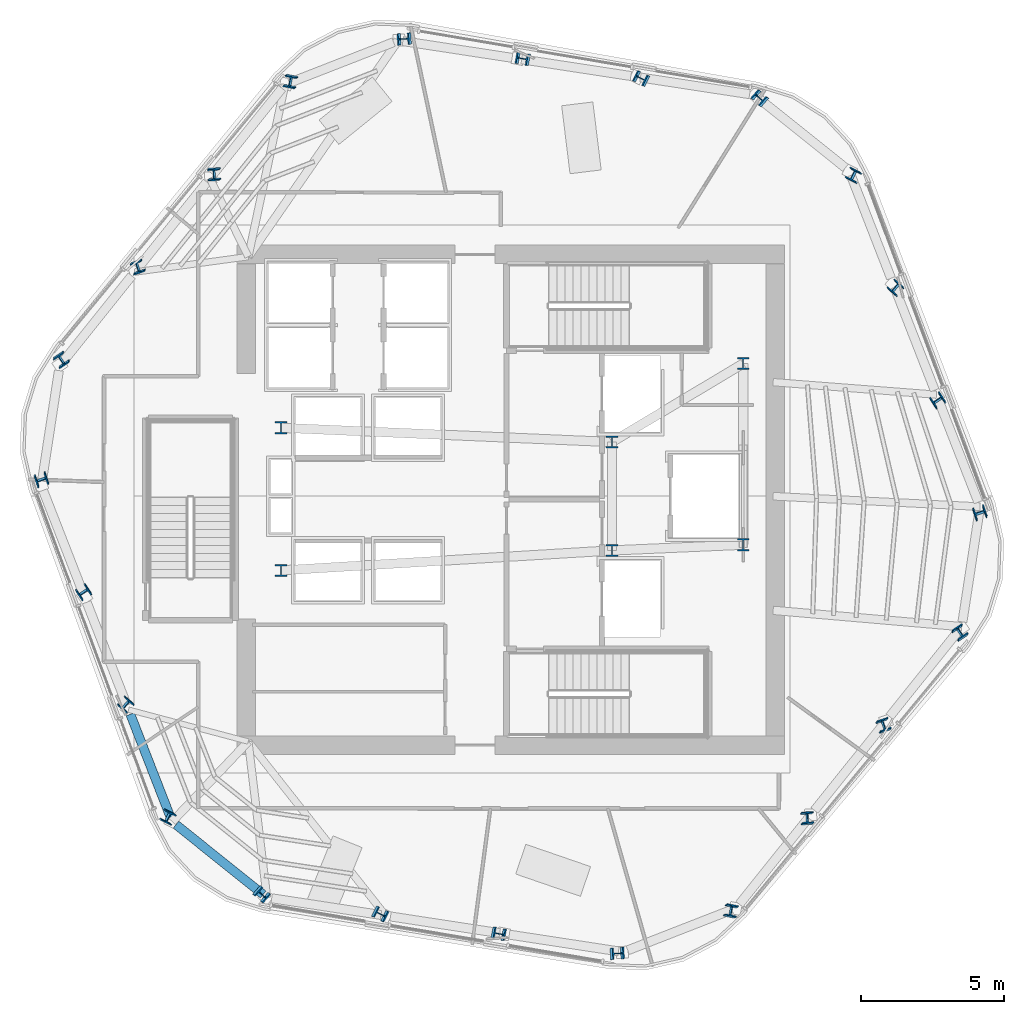
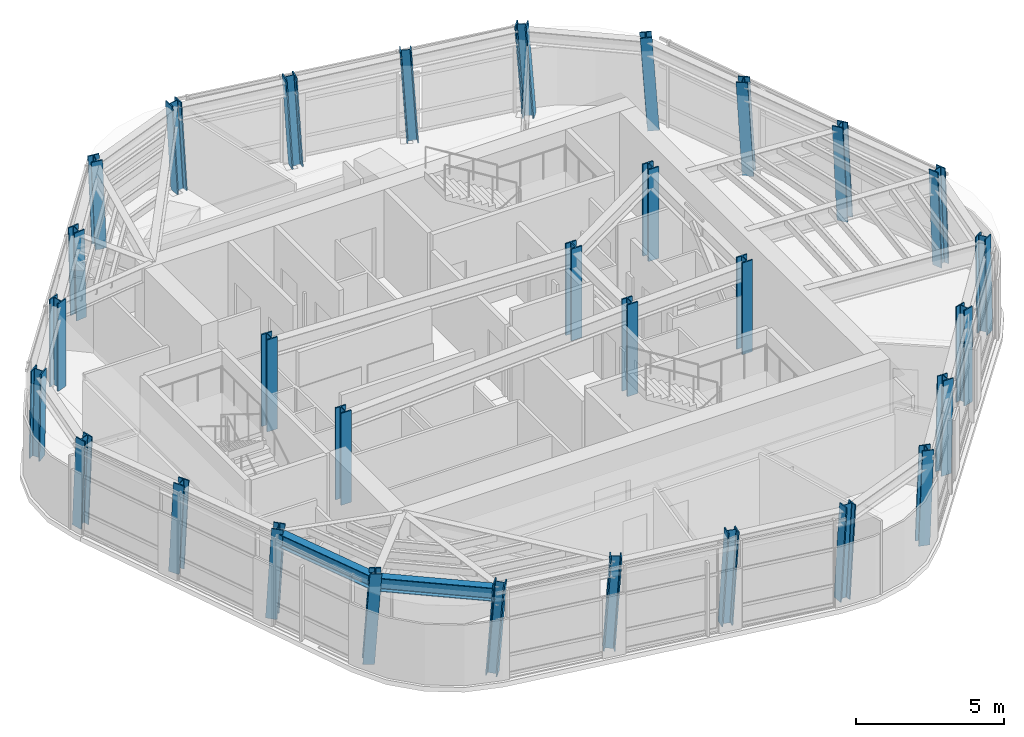
# One storey, part 1 of 12: 30 columns, 2 beams.
"""IFC4 building model written with IfcOpenShell, lengths in metres."""

from ifc_helpers import new_model, si_unit, direction, frame, origin, origin_2d, place, context, subcontext, project, spatial, i_section, extrude, material, material_profile, profile_set, type_object, element, save


model = new_model("IFC4")

# Units and contexts
model_context = context("Model", 3, precision=1e-05, world=origin(), true_north=direction((0.0, 1.0)))
body_context = subcontext(model_context, "Body", "Model", "MODEL_VIEW")
ifc_project = project(units=[si_unit("LENGTHUNIT", "METRE"), si_unit("AREAUNIT", "SQUARE_METRE"), si_unit("VOLUMEUNIT", "CUBIC_METRE"), si_unit("PLANEANGLEUNIT", "RADIAN"), si_unit("MASSUNIT", "GRAM", prefix="KILO")], contexts=[model_context])

# Site, building, storey
site_placement = place(None, origin())
site = spatial("IfcSite", under=ifc_project, at=site_placement, CompositionType="ELEMENT")
building_placement = place(site_placement, origin())
building = spatial("IfcBuilding", under=site, at=building_placement, Name="Valkerne Bourse Tower", CompositionType="ELEMENT")
storey_placement = place(building_placement, frame((0.0, 0.0, 239.800048828125)))
storey = spatial("IfcBuildingStorey", under=building, at=storey_placement, Name="L61", CompositionType="ELEMENT", Elevation=239.800048828125)

# Columns
ifc_material_1 = material(Name="Steel ASTM A913 Grade 65", Category="steel")
ifc_material_profile_1 = material_profile(ifc_material_1, i_section(OverallWidth=0.40380859375, OverallDepth=0.406494140625, WebThickness=0.027099609375, FlangeThickness=0.043701171875, FilletRadius=0.025390625, at=origin_2d()), Name="W14X233")
ifc_profile_set_1 = profile_set([ifc_material_profile_1], Name="Steel ASTM A913 Grade 65")
column_type_1 = type_object("IfcColumnType", Name="COL-W14X233", PredefinedType="COLUMN", material=ifc_profile_set_1)
column_1_placement = place(storey_placement, frame((55.564208984375, 40.932373046875, 0.010009765625), z_axis=(-0.058042352836, 0.035817478553, 0.997671385531), x_axis=(0.659388030909, 0.75171673489, 0.011374321124)))
element("IfcColumn", 1, at=column_1_placement, inside=storey, type_object=column_type_1, Name="L61 Helical Perimeter Tube Column F1-C1", PredefinedType="COLUMN", context=body_context, shape_type="SweptSolid", body=[
    extrude(i_section(OverallWidth=0.40380859375, OverallDepth=0.406494140625, WebThickness=0.027099609375, FlangeThickness=0.043701171875, FilletRadius=0.025390625, at=origin_2d()), origin(), (0.0, 0.0, 1.0), 3.789794921875),
])
for number, where, z_axis, x_axis, name in (
    (2, (51.4111328125, 41.634765625, 0.010009765625), (-0.060830876164, 0.018623011876, 0.997974342322), (0.447774033321, 0.894083807465, 0.010609444508), "L61 Helical Perimeter Tube Column F1-C2"),
    (3, (47.25830078125, 42.337158203125, 0.010009765625), (-0.063665958761, 0.00135322382, 0.997970347496), (0.187345355318, 0.982236700481, 0.010619890253), "L61 Helical Perimeter Tube Column F1-C3"),
):
    element("IfcColumn", number, at=place(storey_placement, frame(where, z_axis=z_axis, x_axis=x_axis)), inside=storey, type_object=column_type_1, Name=name, PredefinedType="COLUMN", context=body_context, shape_type="SweptSolid", body=[
        extrude(i_section(OverallWidth=0.40380859375, OverallDepth=0.406494140625, WebThickness=0.027099609375, FlangeThickness=0.043701171875, FilletRadius=0.025390625, at=origin_2d()), origin(), (0.0, 0.0, 1.0), 3.78857421875),
    ])
for number, where, z_axis, x_axis, name in (
    (4, (43.105224609375, 43.03955078125, 0.010009765625), (-0.066352457271, -0.015847285911, 0.997670393939), (-0.067219489708, 0.997673348344, 0.011376739801), "L61 Helical Perimeter Tube Column F1-C4"),
    (5, (39.116455078125, 41.55615234375, 0.010009765625), (-0.060103596397, -0.032338698169, 0.997668164422), (-0.978972342952, 0.197097950038, -0.052588495193), "L61 Helical Perimeter Tube Column F2-C1"),
):
    element("IfcColumn", number, at=place(storey_placement, frame(where, z_axis=z_axis, x_axis=x_axis)), inside=storey, type_object=column_type_1, Name=name, PredefinedType="COLUMN", context=body_context, shape_type="SweptSolid", body=[
        extrude(i_section(OverallWidth=0.40380859375, OverallDepth=0.406494140625, WebThickness=0.027099609375, FlangeThickness=0.043701171875, FilletRadius=0.025390625, at=origin_2d()), origin(), (0.0, 0.0, 1.0), 3.789794921875),
    ])
for number, where, z_axis, x_axis, name in (
    (6, (36.431640625, 38.310791015625, 0.010009765625), (-0.046589652608, -0.043367684931, 0.997972268239), (-0.997148875862, -0.057348667269, -0.049043345407), "L61 Helical Perimeter Tube Column F2-C2"),
    (7, (33.746826171875, 35.065185546875, 0.010009765625), (-0.033057514653, -0.054322582558, 0.99797608075), (-0.944265078053, -0.325519170518, -0.048997265176), "L61 Helical Perimeter Tube Column F2-C3"),
):
    element("IfcColumn", number, at=place(storey_placement, frame(where, z_axis=z_axis, x_axis=x_axis)), inside=storey, type_object=column_type_1, Name=name, PredefinedType="COLUMN", context=body_context, shape_type="SweptSolid", body=[
        extrude(i_section(OverallWidth=0.40380859375, OverallDepth=0.406494140625, WebThickness=0.027099609375, FlangeThickness=0.043701171875, FilletRadius=0.025390625, at=origin_2d()), origin(), (0.0, 0.0, 1.0), 3.78857421875),
    ])
for number, where, z_axis, x_axis, name in (
    (8, (31.06201171875, 31.81982421875, 0.010009765625), (-0.019454797627, -0.065386157586, 0.997670367028), (-0.830178127757, -0.555014716566, -0.052563681274), "L61 Helical Perimeter Tube Column F2-C4"),
    (9, (30.352294921875, 27.623779296875, 0.010009765625), (-0.002061439963, -0.068156358773, 0.997672522035), (0.320142834192, -0.945211064998, -0.063910940536), "L61 Helical Perimeter Tube Column F3-C1"),
):
    element("IfcColumn", number, at=place(storey_placement, frame(where, z_axis=z_axis, x_axis=x_axis)), inside=storey, type_object=column_type_1, Name=name, PredefinedType="COLUMN", context=body_context, shape_type="SweptSolid", body=[
        extrude(i_section(OverallWidth=0.40380859375, OverallDepth=0.406494140625, WebThickness=0.027099609375, FlangeThickness=0.043701171875, FilletRadius=0.025390625, at=origin_2d()), origin(), (0.0, 0.0, 1.0), 3.789794921875),
    ])
for number, where, z_axis, x_axis, name in (
    (10, (31.8203125, 23.676025390625, 0.010009765625), (0.014305564108, -0.0619907778, 0.997974195209), (0.549975347705, -0.833049454216, -0.059629889723), "L61 Helical Perimeter Tube Column F3-C2"),
    (11, (33.28857421875, 19.728271484375, 0.010009765625), (0.030608697824, -0.055804489085, 0.997972427783), (0.755450321779, -0.652484473769, -0.059655869899), "L61 Helical Perimeter Tube Column F3-C3"),
):
    element("IfcColumn", number, at=place(storey_placement, frame(where, z_axis=z_axis, x_axis=x_axis)), inside=storey, type_object=column_type_1, Name=name, PredefinedType="COLUMN", context=body_context, shape_type="SweptSolid", body=[
        extrude(i_section(OverallWidth=0.40380859375, OverallDepth=0.406494140625, WebThickness=0.027099609375, FlangeThickness=0.043701171875, FilletRadius=0.025390625, at=origin_2d()), origin(), (0.0, 0.0, 1.0), 3.78857421875),
    ])
for number, where, z_axis, x_axis, name in (
    (12, (34.7568359375, 15.780517578125, 0.010009765625), (0.046897516268, -0.049603142207, 0.997667355009), (0.895710062648, -0.440011156751, -0.063981759947), "L61 Helical Perimeter Tube Column F3-C4"),
    (13, (38.035888671875, 13.067626953125, 0.010009765625), (0.057978149575, -0.035817612404, 0.997675113859), (0.659761640257, 0.751388986987, -0.01136522241), "L61 Helical Perimeter Tube Column F4-C1"),
):
    element("IfcColumn", number, at=place(storey_placement, frame(where, z_axis=z_axis, x_axis=x_axis)), inside=storey, type_object=column_type_1, Name=name, PredefinedType="COLUMN", context=body_context, shape_type="SweptSolid", body=[
        extrude(i_section(OverallWidth=0.40380859375, OverallDepth=0.406494140625, WebThickness=0.027099609375, FlangeThickness=0.043701171875, FilletRadius=0.025390625, at=origin_2d()), origin(), (0.0, 0.0, 1.0), 3.789794921875),
    ])
for number, where, z_axis, x_axis, name in (
    (14, (42.188720703125, 12.365234375, 0.010009765625), (0.060830876164, -0.018623011876, 0.997974342322), (0.447774033321, 0.894083807465, -0.010609444508), "L61 Helical Perimeter Tube Column F4-C2"),
    (15, (46.341796875, 11.662841796875, 0.010009765625), (0.063601780331, -0.001353229369, 0.997974439707), (0.187367180495, 0.982232653075, -0.010609189736), "L61 Helical Perimeter Tube Column F4-C3"),
):
    element("IfcColumn", number, at=place(storey_placement, frame(where, z_axis=z_axis, x_axis=x_axis)), inside=storey, type_object=column_type_1, Name=name, PredefinedType="COLUMN", context=body_context, shape_type="SweptSolid", body=[
        extrude(i_section(OverallWidth=0.40380859375, OverallDepth=0.406494140625, WebThickness=0.027099609375, FlangeThickness=0.043701171875, FilletRadius=0.025390625, at=origin_2d()), origin(), (0.0, 0.0, 1.0), 3.78857421875),
    ])
for number, where, z_axis, x_axis, name in (
    (16, (50.494873046875, 10.96044921875, 0.010009765625), (0.066352457271, 0.015847285911, 0.997670393939), (-0.067219489708, 0.997673348344, -0.011376739801), "L61 Helical Perimeter Tube Column F4-C4"),
    (17, (54.483642578125, 12.44384765625, 0.010009765625), (0.06003940902, 0.032338823313, 0.997672025202), (-0.97906308315, 0.196658340591, 0.052544992995), "L61 Helical Perimeter Tube Column F5-C1"),
):
    element("IfcColumn", number, at=place(storey_placement, frame(where, z_axis=z_axis, x_axis=x_axis)), inside=storey, type_object=column_type_1, Name=name, PredefinedType="COLUMN", context=body_context, shape_type="SweptSolid", body=[
        extrude(i_section(OverallWidth=0.40380859375, OverallDepth=0.406494140625, WebThickness=0.027099609375, FlangeThickness=0.043701171875, FilletRadius=0.025390625, at=origin_2d()), origin(), (0.0, 0.0, 1.0), 3.789794921875),
    ])
for number, where, z_axis, x_axis, name in (
    (18, (57.16845703125, 15.689208984375, 0.010009765625), (0.046525352837, 0.04336781504, 0.9979752623), (-0.997110737896, -0.058038560735, 0.049007161112), "L61 Helical Perimeter Tube Column F5-C2"),
    (19, (59.853271484375, 18.934814453125, 0.010009765625), (0.032993145267, 0.054322698164, 0.997978204586), (-0.943983634454, -0.326338294706, 0.048971576372), "L61 Helical Perimeter Tube Column F5-C3"),
):
    element("IfcColumn", number, at=place(storey_placement, frame(where, z_axis=z_axis, x_axis=x_axis)), inside=storey, type_object=column_type_1, Name=name, PredefinedType="COLUMN", context=body_context, shape_type="SweptSolid", body=[
        extrude(i_section(OverallWidth=0.40380859375, OverallDepth=0.406494140625, WebThickness=0.027099609375, FlangeThickness=0.043701171875, FilletRadius=0.025390625, at=origin_2d()), origin(), (0.0, 0.0, 1.0), 3.78857421875),
    ])
for number, where, z_axis, x_axis, name in (
    (20, (62.5380859375, 22.18017578125, 0.010009765625), (0.019454797627, 0.065386157586, 0.997670367028), (-0.830178127757, -0.555014716566, 0.052563681274), "L61 Helical Perimeter Tube Column F5-C4"),
    (21, (63.247802734375, 26.376220703125, 0.010009765625), (0.002061439963, 0.068156358773, 0.997672522035), (0.320142834192, -0.945211064998, 0.063910940536), "L61 Helical Perimeter Tube Column F6-C1"),
):
    element("IfcColumn", number, at=place(storey_placement, frame(where, z_axis=z_axis, x_axis=x_axis)), inside=storey, type_object=column_type_1, Name=name, PredefinedType="COLUMN", context=body_context, shape_type="SweptSolid", body=[
        extrude(i_section(OverallWidth=0.40380859375, OverallDepth=0.406494140625, WebThickness=0.027099609375, FlangeThickness=0.043701171875, FilletRadius=0.025390625, at=origin_2d()), origin(), (0.0, 0.0, 1.0), 3.789794921875),
    ])
for number, where, z_axis, x_axis, name in (
    (22, (61.779541015625, 30.323974609375, 0.010009765625), (-0.014241137728, 0.061990834817, 0.997975113114), (0.549152913967, -0.833592803964, 0.059616392549), "L61 Helical Perimeter Tube Column F6-C2"),
    (23, (60.311279296875, 34.271728515625, 0.010009765625), (-0.030544318642, 0.055804599039, 0.997974394123), (0.754871431911, -0.653156754783, 0.059626965091), "L61 Helical Perimeter Tube Column F6-C3"),
):
    element("IfcColumn", number, at=place(storey_placement, frame(where, z_axis=z_axis, x_axis=x_axis)), inside=storey, type_object=column_type_1, Name=name, PredefinedType="COLUMN", context=body_context, shape_type="SweptSolid", body=[
        extrude(i_section(OverallWidth=0.40380859375, OverallDepth=0.406494140625, WebThickness=0.027099609375, FlangeThickness=0.043701171875, FilletRadius=0.025390625, at=origin_2d()), origin(), (0.0, 0.0, 1.0), 3.78857421875),
    ])
column_2_placement = place(storey_placement, frame((58.84326171875, 38.219482421875, 0.010009765625), z_axis=(-0.046897516268, 0.049603142207, 0.997667355009), x_axis=(0.895710062648, -0.440011156751, 0.063981759947)))
element("IfcColumn", 24, at=column_2_placement, inside=storey, type_object=column_type_1, Name="L61 Helical Perimeter Tube Column F6-C4", PredefinedType="COLUMN", context=body_context, shape_type="SweptSolid", body=[
    extrude(i_section(OverallWidth=0.40380859375, OverallDepth=0.406494140625, WebThickness=0.027099609375, FlangeThickness=0.043701171875, FilletRadius=0.025390625, at=origin_2d()), origin(), (0.0, 0.0, 1.0), 3.789794921875),
])
ifc_material_profile_2 = material_profile(ifc_material_1, i_section(OverallWidth=0.408935546875, OverallDepth=0.42431640625, WebThickness=0.03271484375, FlangeThickness=0.052490234375, FilletRadius=0.025390625, at=origin_2d()), Name="W14X283")
ifc_profile_set_2 = profile_set([ifc_material_profile_2], Name="Steel ASTM A913 Grade 65")
column_type_2 = type_object("IfcColumnType", Name="COL-W14X283", PredefinedType="COLUMN", material=ifc_profile_set_2)
for number, where, z_axis, x_axis, name in (
    (25, (38.75, 24.39990234375, 0.0048828125), (0.0, 0.0, 1.0), (1.0, 0.0, 0.0), "L61 Core Frame Column CC-SW"),
    (26, (38.75, 29.39990234375, 0.0048828125), (0.0, 0.0, 1.0), (1.0, 0.0, 0.0), "L61 Core Frame Column CC-NW"),
    (27, (50.35009765625, 25.10009765625, 0.0048828125), (0.0, 0.0, 1.0), (1.0, 0.0, 0.0), "L61 Core Frame Column CC-CE1"),
    (28, (50.35009765625, 28.89990234375, 0.0048828125), (0.0, 0.0, 1.0), (1.0, 0.0, 0.0), "L61 Core Frame Column CC-CE2"),
    (29, (54.949951171875, 25.300048828125, 0.0048828125), (0.0, 0.0, 1.0), (1.0, 0.0, 0.0), "L61 Core Frame Column CC-SE"),
    (30, (54.949951171875, 31.64990234375, 0.0048828125), (0.0, 0.0, 1.0), (1.0, 0.0, 0.0), "L61 Core Frame Column CC-NE"),
):
    element("IfcColumn", number, at=place(storey_placement, frame(where, z_axis=z_axis, x_axis=x_axis)), inside=storey, type_object=column_type_2, Name=name, PredefinedType="COLUMN", context=body_context, shape_type="SweptSolid", body=[
        extrude(i_section(OverallWidth=0.408935546875, OverallDepth=0.42431640625, WebThickness=0.03271484375, FlangeThickness=0.052490234375, FilletRadius=0.025390625, at=origin_2d()), origin(), (0.0, 0.0, 1.0), 3.795166015625),
    ])

# Beams
ifc_material_2 = material(Name="Steel ASTM A992", Category="steel")
ifc_material_profile_3 = material_profile(ifc_material_2, i_section(OverallWidth=0.31494140625, OverallDepth=0.5537109375, WebThickness=0.0166015625, FlangeThickness=0.026123046875, FilletRadius=0.020263671875, at=origin_2d()), Name="W21X132")
ifc_profile_set_3 = profile_set([ifc_material_profile_3], Name="Steel ASTM A992")
beam_type = type_object("IfcBeamType", Name="BM-W21X132", PredefinedType="BEAM", material=ifc_profile_set_3)
beam_1_placement = place(storey_placement, frame((33.46630859375, 19.3583984375, 3.3232421875), z_axis=(0.36325551787, -0.931689555988, 0.0), x_axis=(0.931689555988, 0.36325551787, 0.0)))
element("IfcBeam", 31, at=beam_1_placement, inside=storey, type_object=beam_type, Name="L61 Hexagonal Spandrel Ring Beam 10", PredefinedType="BEAM", context=body_context, shape_type="SweptSolid", body=[
    extrude(i_section(OverallWidth=0.31494140625, OverallDepth=0.5537109375, WebThickness=0.0166015625, FlangeThickness=0.026123046875, FilletRadius=0.020263671875, at=origin_2d()), origin(), (0.0, 0.0, 1.0), 3.871826171875),
])
beam_2_placement = place(storey_placement, frame((35.067138671875, 15.486328125, 3.3232421875), z_axis=(0.780430649215, -0.625242354424, 0.0), x_axis=(0.625242354424, 0.780430649215, 0.0)))
element("IfcBeam", 32, at=beam_2_placement, inside=storey, type_object=beam_type, Name="L61 Hexagonal Spandrel Ring Beam 11", PredefinedType="BEAM", context=body_context, shape_type="SweptSolid", body=[
    extrude(i_section(OverallWidth=0.31494140625, OverallDepth=0.5537109375, WebThickness=0.0166015625, FlangeThickness=0.026123046875, FilletRadius=0.020263671875, at=origin_2d()), origin(), (0.0, 0.0, 1.0), 3.915771484375),
])

save(model, "model.ifc")
